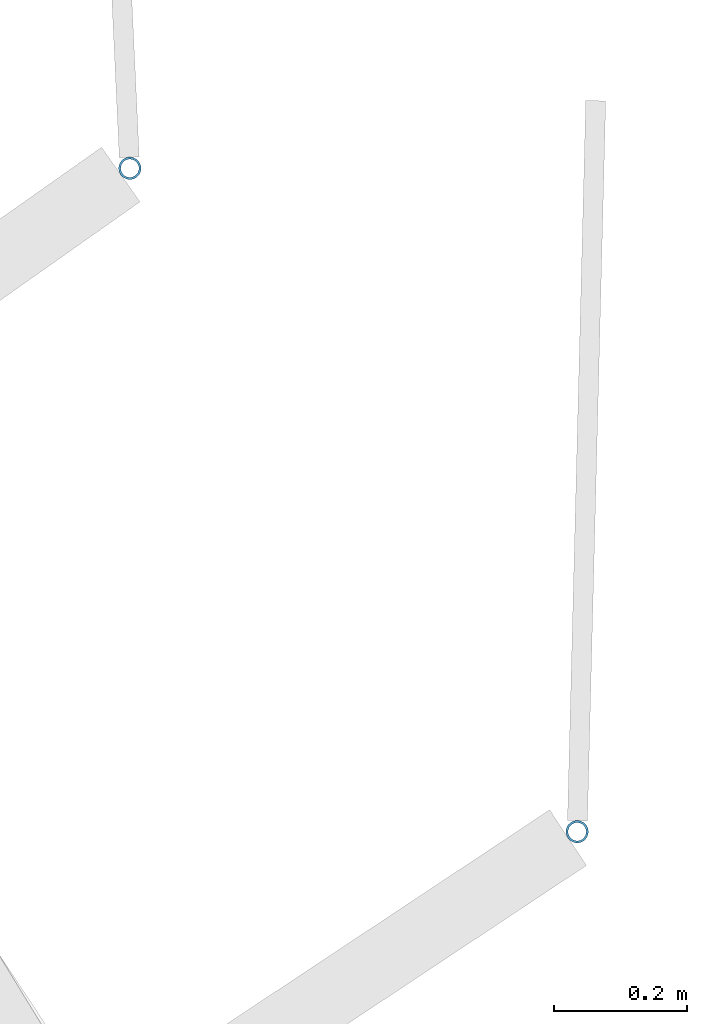
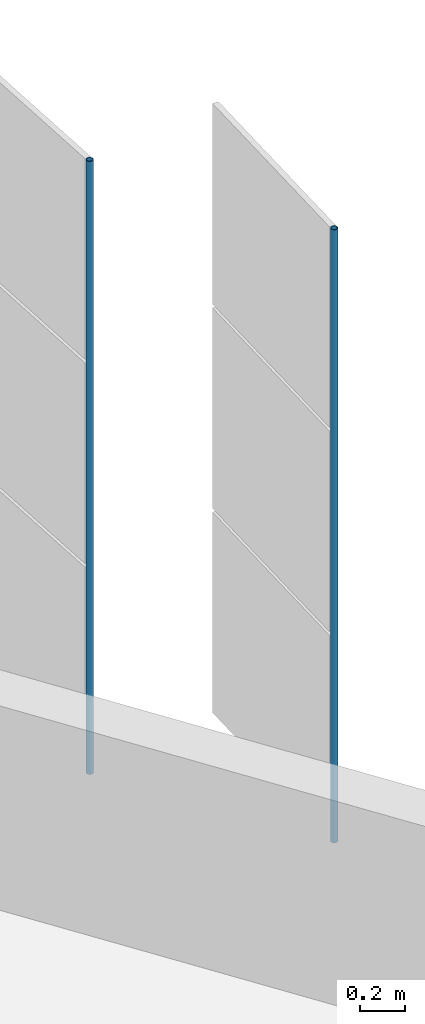
# One storey, part 144 of 214: 2 discrete accessories.
"""IFC4 building model written with IfcOpenShell, lengths in metres."""

from ifc_helpers import new_model, si_unit, direction, frame, origin, origin_2d, place, context, subcontext, project, spatial, hollow_circle, extrude, material, material_profile, profile_set, type_object, element, save


model = new_model("IFC4")

# Units and contexts
model_context = context("Model", 3, precision=1e-05, world=origin(), true_north=direction((0.0, 1.0)))
body_context = subcontext(model_context, "Body", "Model", "MODEL_VIEW")
ifc_project = project(units=[si_unit("LENGTHUNIT", "METRE"), si_unit("AREAUNIT", "SQUARE_METRE"), si_unit("VOLUMEUNIT", "CUBIC_METRE"), si_unit("PLANEANGLEUNIT", "RADIAN"), si_unit("MASSUNIT", "GRAM", prefix="KILO")], contexts=[model_context])

# Site, building, storey
site_placement = place(None, origin())
site = spatial("IfcSite", under=ifc_project, at=site_placement, CompositionType="ELEMENT")
building_placement = place(site_placement, origin())
building = spatial("IfcBuilding", under=site, at=building_placement, Name="Parallax Yard Mobility Hub", CompositionType="ELEMENT")
storey_placement = place(building_placement, frame((0.0, 0.0, 3.300048828125)))
storey = spatial("IfcBuildingStorey", under=building, at=storey_placement, Name="L01", CompositionType="ELEMENT", Elevation=3.300048828125)

# Discrete accessories
ifc_material = material(Name="Steel ASTM A500 Gr C, hot-dip galvanised", Category="steel")
ifc_material_profile = material_profile(ifc_material, hollow_circle(Radius=0.016845703125, WallThickness=0.003173828125, at=origin_2d()), Name="CHS 33.7x3.2")
ifc_profile_set = profile_set([ifc_material_profile], Name="Steel ASTM A500 Gr C, hot-dip galvanised")
discrete_accessory_type = type_object("IfcDiscreteAccessoryType", Name="Hinge post CHS 33.7x3.2", PredefinedType="BRACKET", material=ifc_profile_set)
for number, where, z_axis, x_axis, name in (
    (1, (216.997802734375, 119.373779296875, 0.0), (0.0, 0.0, 1.0), (1.0, 0.0, 0.0), "Hinge post bay 44.6 level L01"),
    (2, (216.3271484375, 120.368408203125, 0.0), (0.0, 0.0, 1.0), (1.0, 0.0, 0.0), "Hinge post bay 44.7 level L01"),
):
    element("IfcDiscreteAccessory", number, at=place(storey_placement, frame(where, z_axis=z_axis, x_axis=x_axis)), inside=storey, type_object=discrete_accessory_type, Name=name, PredefinedType="BRACKET", context=body_context, shape_type="SweptSolid", body=[
        extrude(hollow_circle(Radius=0.016845703125, WallThickness=0.003173828125, at=origin_2d()), origin(), (0.0, 0.0, 1.0), 3.300048828125),
    ])

save(model, "model.ifc")
